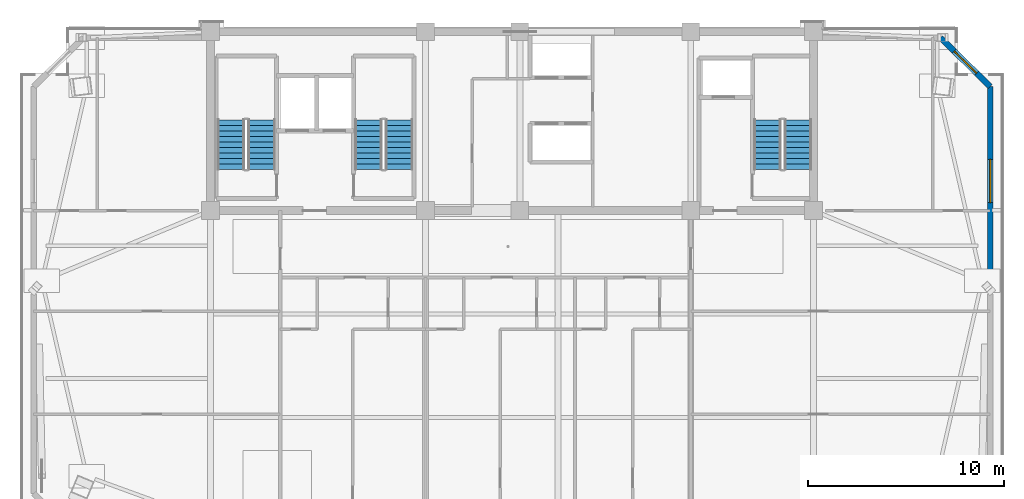
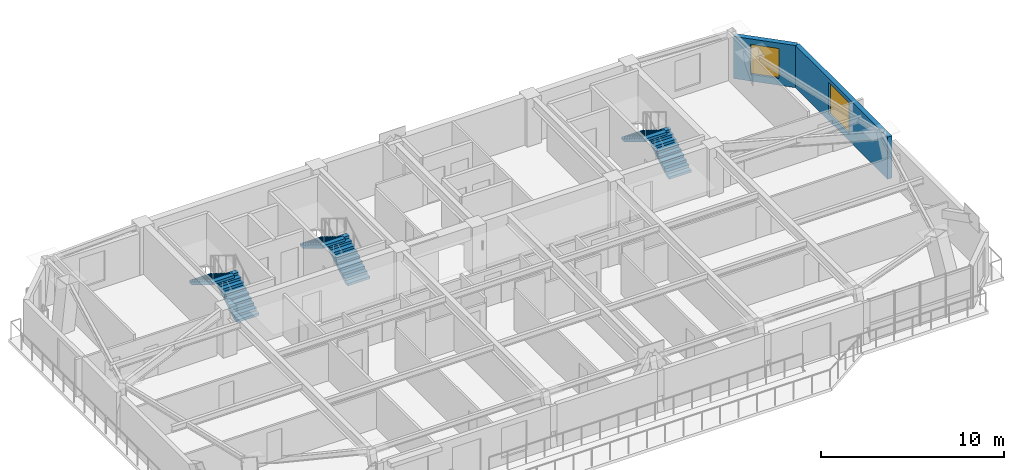
# One storey, part 9 of 14: 6 stair flights, 2 walls, 2 windows, 2 openings, 3 elements without a shape of their own.
"""IFC4 building model written with IfcOpenShell, lengths in metres."""

from ifc_helpers import new_model, si_unit, direction, frame, frame_2d, origin, place, context, subcontext, project, spatial, polyline, rectangle, outline, extrude, source, transform, mapped, material, layer, layer_set, type_object, element, fill, aggregate, save


model = new_model("IFC4")

# Units and contexts
model_context = context("Model", 3, precision=1e-05, world=origin(), true_north=direction((0.0, 1.0)))
body_context = subcontext(model_context, "Body", "Model", "MODEL_VIEW")
ifc_project = project(units=[si_unit("LENGTHUNIT", "METRE"), si_unit("AREAUNIT", "SQUARE_METRE"), si_unit("VOLUMEUNIT", "CUBIC_METRE"), si_unit("PLANEANGLEUNIT", "RADIAN"), si_unit("MASSUNIT", "GRAM", prefix="KILO")], contexts=[model_context])

# Site, building, storey
site_placement = place(None, origin())
site = spatial("IfcSite", under=ifc_project, at=site_placement, CompositionType="ELEMENT")
building_placement = place(site_placement, origin())
building = spatial("IfcBuilding", under=site, at=building_placement, Name="Giltprow Tower", CompositionType="ELEMENT")
storey_placement = place(building_placement, frame((0.0, 0.0, 321.0)))
storey = spatial("IfcBuildingStorey", under=building, at=storey_placement, Name="L83", CompositionType="ELEMENT", Elevation=321.0)

# Wall, opening, window
ifc_material_1 = material(Name="Precast concrete C40", Category="concrete")
ifc_layer_1 = layer(ifc_material_1, 0.300048828125, Name="Precast concrete C40")
ifc_layer_set_1 = layer_set([ifc_layer_1], Name="Precast concrete C40")
wall_type_1 = type_object("IfcWallType", Name="EW-NOTCH-CHAMFER-300", PredefinedType="SOLIDWALL", material=ifc_layer_set_1)
wall_1_placement = place(storey_placement, frame((59.5458984375, 43.761962890625, 0.0), z_axis=(0.0, 0.0, 1.0), x_axis=(-0.714078899205, 0.700065229611, 0.0)))
wall_1 = element("IfcWall", 1, at=wall_1_placement, inside=storey, type_object=wall_type_1, Name="L83 Corner Notch Wall NE", PredefinedType="SOLIDWALL", context=body_context, shape_type="SweptSolid", body=[
    extrude(rectangle(XDim=3.553955078125, YDim=0.300048828125, at=frame_2d((1.77685546875, 0.0))), origin(), (0.0, 0.0, 1.0), 2.81494140625),
])
opening_1_placement = place(wall_1_placement, frame((0.97705078125, 0.0, 0.449951171875)))
opening_1 = element("IfcOpeningElement", 2, at=opening_1_placement, cuts=wall_1, Name="Opening WN17", PredefinedType="OPENING", context=body_context, shape_type="SweptSolid", body=[
    extrude(rectangle(XDim=1.60009765625, YDim=2.0, at=frame_2d((0.800048828125, 1.0))), frame((0.0, 0.159912109375, 0.0), z_axis=(0.0, -1.0, 0.0), x_axis=(1.0, 0.0, 0.0)), (0.0, 0.0, 1.0), 0.320068359375),
])
ifc_material_2 = material(Name="Insulated glass", Category="glass")
window_type_1 = type_object("IfcWindowType", Name="WN-COR-1600x2000", PartitioningType="SINGLE_PANEL", PredefinedType="WINDOW", material=ifc_material_2)
shared_shape_1 = source(origin(), body_context, "Body", "SweptSolid", [
    extrude(rectangle(XDim=1.60009765625, YDim=2.0, at=frame_2d((0.800048828125, 1.0))), frame((0.0, 0.030029296875, 0.0), z_axis=(0.0, -1.0, 0.0), x_axis=(1.0, 0.0, 0.0)), (0.0, 0.0, 1.0), 0.06005859375),
])
window_1_placement = place(opening_1_placement, origin())
window_1 = element("IfcWindow", 3, at=window_1_placement, inside=storey, type_object=window_type_1, Name="L83 Corner Notch Window NE", OverallHeight=2.0, OverallWidth=1.60009765625, PartitioningType="SINGLE_PANEL", PredefinedType="WINDOW", context=body_context, shape_type="MappedRepresentation", body=[
    mapped(shared_shape_1, transform((0.0, 0.0, 0.0), x_axis=(1.0, 0.0, 0.0), y_axis=(0.0, 1.0, 0.0), z_axis=(0.0, 0.0, 1.0), scale=1.0)),
])
fill(opening_1, window_1)

ifc_layer_2 = layer(ifc_material_1, 0.280029296875, Name="Precast concrete C40")
ifc_layer_set_2 = layer_set([ifc_layer_2], Name="Precast concrete C40")
wall_type_2 = type_object("IfcWallType", Name="EW-TOW-BRONZE-280", PredefinedType="SOLIDWALL", material=ifc_layer_set_2)
wall_2_placement = place(storey_placement, frame((59.5458984375, 33.60205078125, 0.0), z_axis=(0.0, 0.0, 1.0), x_axis=(0.0, 1.0, 0.0)))
wall_2 = element("IfcWall", 4, at=wall_2_placement, inside=storey, type_object=wall_type_2, Name="L83 E Wing Masonry Wall 2", PredefinedType="SOLIDWALL", context=body_context, shape_type="SweptSolid", body=[
    extrude(rectangle(XDim=10.159912109375, YDim=0.280029296875, at=frame_2d((5.080078125, 0.0))), origin(), (0.0, 0.0, 1.0), 2.81494140625),
])
opening_2_placement = place(wall_2_placement, frame((4.2529296875, 0.0, 0.449951171875)))
opening_2 = element("IfcOpeningElement", 5, at=opening_2_placement, cuts=wall_2, Name="Opening WN27", PredefinedType="OPENING", context=body_context, shape_type="SweptSolid", body=[
    extrude(rectangle(XDim=2.199951171875, YDim=2.10009765625, at=frame_2d((1.10009765625, 1.050048828125))), frame((0.0, 0.14990234375, 0.0), z_axis=(0.0, -1.0, 0.0), x_axis=(1.0, 0.0, 0.0)), (0.0, 0.0, 1.0), 0.300048828125),
])
window_type_2 = type_object("IfcWindowType", Name="WN-RES-2200x2100", PartitioningType="TRIPLE_PANEL_VERTICAL", PredefinedType="WINDOW", material=ifc_material_2)
shared_shape_2 = source(origin(), body_context, "Body", "SweptSolid", [
    extrude(rectangle(XDim=2.199951171875, YDim=2.10009765625, at=frame_2d((1.10009765625, 1.050048828125))), frame((0.0, 0.030029296875, 0.0), z_axis=(0.0, -1.0, 0.0), x_axis=(1.0, 0.0, 0.0)), (0.0, 0.0, 1.0), 0.06005859375),
])
window_2_placement = place(opening_2_placement, origin())
window_2 = element("IfcWindow", 6, at=window_2_placement, inside=storey, type_object=window_type_2, Name="L83 E Wing Window 2-1", OverallHeight=2.10009765625, OverallWidth=2.199951171875, PartitioningType="SINGLE_PANEL", PredefinedType="WINDOW", context=body_context, shape_type="MappedRepresentation", body=[
    mapped(shared_shape_2, transform((0.0, 0.0, 0.0), x_axis=(1.0, 0.0, 0.0), y_axis=(0.0, 1.0, 0.0), z_axis=(0.0, 0.0, 1.0), scale=1.0)),
])
fill(opening_2, window_2)

# Stair, stair flights
ifc_material_3 = material(Name="Concrete C40", Category="concrete")
stair_type_1 = type_object("IfcStairType", Name="STR-ST-1", PredefinedType="HALF_TURN_STAIR", material=ifc_material_3)
stair_1_placement = place(storey_placement, origin())
stair_1 = element("IfcStair", 7, at=stair_1_placement, inside=storey, type_object=stair_type_1, Name="L83 Core Exit Stair ST-1", PredefinedType="HALF_TURN_STAIR")
stair_flight_type_1 = type_object("IfcStairFlightType", Name="SFL-ST-1", PredefinedType="STRAIGHT", material=ifc_material_3)
stair_flight_1_placement = place(storey_placement, frame((22.4599609375, 39.550048828125, 0.0), z_axis=(0.0, 0.0, 1.0), x_axis=(0.0, 1.0, 0.0)))
stair_flight_1 = element("IfcStairFlight", 8, at=stair_flight_1_placement, type_object=stair_flight_type_1, Name="ST-1 flight 1", NumberOfRisers=10, NumberOfTreads=9, PredefinedType="STRAIGHT", RiserHeight=0.17, TreadLength=0.28, context=body_context, shape_type="SweptSolid", body=[
    extrude(outline(polyline([(0.0, 0.0), (0.0, 0.169921875), (0.280029296875, 0.169921875), (0.280029296875, 0.340087890625), (0.56005859375, 0.340087890625), (0.56005859375, 0.510009765625), (0.840087890625, 0.510009765625), (0.840087890625, 0.679931640625), (1.1201171875, 0.679931640625), (1.1201171875, 0.85009765625), (1.39990234375, 0.85009765625), (1.39990234375, 1.02001953125), (1.679931640625, 1.02001953125), (1.679931640625, 1.18994140625), (1.9599609375, 1.18994140625), (1.9599609375, 1.360107421875), (2.239990234375, 1.360107421875), (2.239990234375, 1.530029296875), (2.52001953125, 1.530029296875), (2.52001953125, 1.699951171875), (2.52001953125, 1.354736328125), (0.288818359375, 0.0), (0.0, 0.0)])), frame((0.0, 0.699951171875, 0.0), z_axis=(0.0, -1.0, 0.0), x_axis=(1.0, 0.0, 0.0)), (0.0, 0.0, 1.0), 1.39990234375),
])
stair_flight_2_placement = place(storey_placement, frame((20.89990234375, 42.070068359375, 1.699951171875), z_axis=(0.0, 0.0, 1.0), x_axis=(0.0, -1.0, 0.0)))
stair_flight_2 = element("IfcStairFlight", 9, at=stair_flight_2_placement, type_object=stair_flight_type_1, Name="ST-1 flight 2", NumberOfRisers=10, NumberOfTreads=9, PredefinedType="STRAIGHT", RiserHeight=0.17, TreadLength=0.28, context=body_context, shape_type="SweptSolid", body=[
    extrude(outline(polyline([(0.0, 0.0), (0.0, 0.169921875), (0.280029296875, 0.169921875), (0.280029296875, 0.340087890625), (0.56005859375, 0.340087890625), (0.56005859375, 0.510009765625), (0.840087890625, 0.510009765625), (0.840087890625, 0.679931640625), (1.1201171875, 0.679931640625), (1.1201171875, 0.85009765625), (1.39990234375, 0.85009765625), (1.39990234375, 1.02001953125), (1.679931640625, 1.02001953125), (1.679931640625, 1.18994140625), (1.9599609375, 1.18994140625), (1.9599609375, 1.360107421875), (2.239990234375, 1.360107421875), (2.239990234375, 1.530029296875), (2.52001953125, 1.530029296875), (2.52001953125, 1.699951171875), (2.52001953125, 1.354736328125), (0.288818359375, 0.0), (0.0, 0.0)])), frame((0.0, 0.699951171875, 0.0), z_axis=(0.0, -1.0, 0.0), x_axis=(1.0, 0.0, 0.0)), (0.0, 0.0, 1.0), 1.39990234375),
])
aggregate(stair_1, [stair_flight_1, stair_flight_2])

stair_type_2 = type_object("IfcStairType", Name="STR-ST-2", PredefinedType="HALF_TURN_STAIR", material=ifc_material_3)
stair_2_placement = place(storey_placement, origin())
stair_2 = element("IfcStair", 10, at=stair_2_placement, inside=storey, type_object=stair_type_2, Name="L83 Core Exit Stair ST-2", PredefinedType="HALF_TURN_STAIR")
stair_flight_type_2 = type_object("IfcStairFlightType", Name="SFL-ST-2", PredefinedType="STRAIGHT", material=ifc_material_3)
stair_flight_3_placement = place(storey_placement, frame((29.4599609375, 39.550048828125, 0.0), z_axis=(0.0, 0.0, 1.0), x_axis=(0.0, 1.0, 0.0)))
stair_flight_3 = element("IfcStairFlight", 11, at=stair_flight_3_placement, type_object=stair_flight_type_2, Name="ST-2 flight 1", NumberOfRisers=10, NumberOfTreads=9, PredefinedType="STRAIGHT", RiserHeight=0.17, TreadLength=0.28, context=body_context, shape_type="SweptSolid", body=[
    extrude(outline(polyline([(0.0, 0.0), (0.0, 0.169921875), (0.280029296875, 0.169921875), (0.280029296875, 0.340087890625), (0.56005859375, 0.340087890625), (0.56005859375, 0.510009765625), (0.840087890625, 0.510009765625), (0.840087890625, 0.679931640625), (1.1201171875, 0.679931640625), (1.1201171875, 0.85009765625), (1.39990234375, 0.85009765625), (1.39990234375, 1.02001953125), (1.679931640625, 1.02001953125), (1.679931640625, 1.18994140625), (1.9599609375, 1.18994140625), (1.9599609375, 1.360107421875), (2.239990234375, 1.360107421875), (2.239990234375, 1.530029296875), (2.52001953125, 1.530029296875), (2.52001953125, 1.699951171875), (2.52001953125, 1.354736328125), (0.288818359375, 0.0), (0.0, 0.0)])), frame((0.0, 0.699951171875, 0.0), z_axis=(0.0, -1.0, 0.0), x_axis=(1.0, 0.0, 0.0)), (0.0, 0.0, 1.0), 1.39990234375),
])
stair_flight_4_placement = place(storey_placement, frame((27.89990234375, 42.070068359375, 1.699951171875), z_axis=(0.0, 0.0, 1.0), x_axis=(0.0, -1.0, 0.0)))
stair_flight_4 = element("IfcStairFlight", 12, at=stair_flight_4_placement, type_object=stair_flight_type_2, Name="ST-2 flight 2", NumberOfRisers=10, NumberOfTreads=9, PredefinedType="STRAIGHT", RiserHeight=0.17, TreadLength=0.28, context=body_context, shape_type="SweptSolid", body=[
    extrude(outline(polyline([(0.0, 0.0), (0.0, 0.169921875), (0.280029296875, 0.169921875), (0.280029296875, 0.340087890625), (0.56005859375, 0.340087890625), (0.56005859375, 0.510009765625), (0.840087890625, 0.510009765625), (0.840087890625, 0.679931640625), (1.1201171875, 0.679931640625), (1.1201171875, 0.85009765625), (1.39990234375, 0.85009765625), (1.39990234375, 1.02001953125), (1.679931640625, 1.02001953125), (1.679931640625, 1.18994140625), (1.9599609375, 1.18994140625), (1.9599609375, 1.360107421875), (2.239990234375, 1.360107421875), (2.239990234375, 1.530029296875), (2.52001953125, 1.530029296875), (2.52001953125, 1.699951171875), (2.52001953125, 1.354736328125), (0.288818359375, 0.0), (0.0, 0.0)])), frame((0.0, 0.699951171875, 0.0), z_axis=(0.0, -1.0, 0.0), x_axis=(1.0, 0.0, 0.0)), (0.0, 0.0, 1.0), 1.39990234375),
])
aggregate(stair_2, [stair_flight_3, stair_flight_4])

stair_type_3 = type_object("IfcStairType", Name="STR-ST-3", PredefinedType="HALF_TURN_STAIR", material=ifc_material_3)
stair_3_placement = place(storey_placement, origin())
stair_3 = element("IfcStair", 13, at=stair_3_placement, inside=storey, type_object=stair_type_3, Name="L83 Core Exit Stair ST-3", PredefinedType="HALF_TURN_STAIR")
stair_flight_type_3 = type_object("IfcStairFlightType", Name="SFL-ST-3", PredefinedType="STRAIGHT", material=ifc_material_3)
stair_flight_5_placement = place(storey_placement, frame((49.760009765625, 39.550048828125, 0.0), z_axis=(0.0, 0.0, 1.0), x_axis=(0.0, 1.0, 0.0)))
stair_flight_5 = element("IfcStairFlight", 14, at=stair_flight_5_placement, type_object=stair_flight_type_3, Name="ST-3 flight 1", NumberOfRisers=10, NumberOfTreads=9, PredefinedType="STRAIGHT", RiserHeight=0.17, TreadLength=0.28, context=body_context, shape_type="SweptSolid", body=[
    extrude(outline(polyline([(0.0, 0.0), (0.0, 0.169921875), (0.280029296875, 0.169921875), (0.280029296875, 0.340087890625), (0.56005859375, 0.340087890625), (0.56005859375, 0.510009765625), (0.840087890625, 0.510009765625), (0.840087890625, 0.679931640625), (1.1201171875, 0.679931640625), (1.1201171875, 0.85009765625), (1.39990234375, 0.85009765625), (1.39990234375, 1.02001953125), (1.679931640625, 1.02001953125), (1.679931640625, 1.18994140625), (1.9599609375, 1.18994140625), (1.9599609375, 1.360107421875), (2.239990234375, 1.360107421875), (2.239990234375, 1.530029296875), (2.52001953125, 1.530029296875), (2.52001953125, 1.699951171875), (2.52001953125, 1.354736328125), (0.288818359375, 0.0), (0.0, 0.0)])), frame((0.0, 0.699951171875, 0.0), z_axis=(0.0, -1.0, 0.0), x_axis=(1.0, 0.0, 0.0)), (0.0, 0.0, 1.0), 1.39990234375),
])
stair_flight_6_placement = place(storey_placement, frame((48.199951171875, 42.070068359375, 1.699951171875), z_axis=(0.0, 0.0, 1.0), x_axis=(0.0, -1.0, 0.0)))
stair_flight_6 = element("IfcStairFlight", 15, at=stair_flight_6_placement, type_object=stair_flight_type_3, Name="ST-3 flight 2", NumberOfRisers=10, NumberOfTreads=9, PredefinedType="STRAIGHT", RiserHeight=0.17, TreadLength=0.28, context=body_context, shape_type="SweptSolid", body=[
    extrude(outline(polyline([(0.0, 0.0), (0.0, 0.169921875), (0.280029296875, 0.169921875), (0.280029296875, 0.340087890625), (0.56005859375, 0.340087890625), (0.56005859375, 0.510009765625), (0.840087890625, 0.510009765625), (0.840087890625, 0.679931640625), (1.1201171875, 0.679931640625), (1.1201171875, 0.85009765625), (1.39990234375, 0.85009765625), (1.39990234375, 1.02001953125), (1.679931640625, 1.02001953125), (1.679931640625, 1.18994140625), (1.9599609375, 1.18994140625), (1.9599609375, 1.360107421875), (2.239990234375, 1.360107421875), (2.239990234375, 1.530029296875), (2.52001953125, 1.530029296875), (2.52001953125, 1.699951171875), (2.52001953125, 1.354736328125), (0.288818359375, 0.0), (0.0, 0.0)])), frame((0.0, 0.699951171875, 0.0), z_axis=(0.0, -1.0, 0.0), x_axis=(1.0, 0.0, 0.0)), (0.0, 0.0, 1.0), 1.39990234375),
])
aggregate(stair_3, [stair_flight_5, stair_flight_6])

save(model, "model.ifc")
